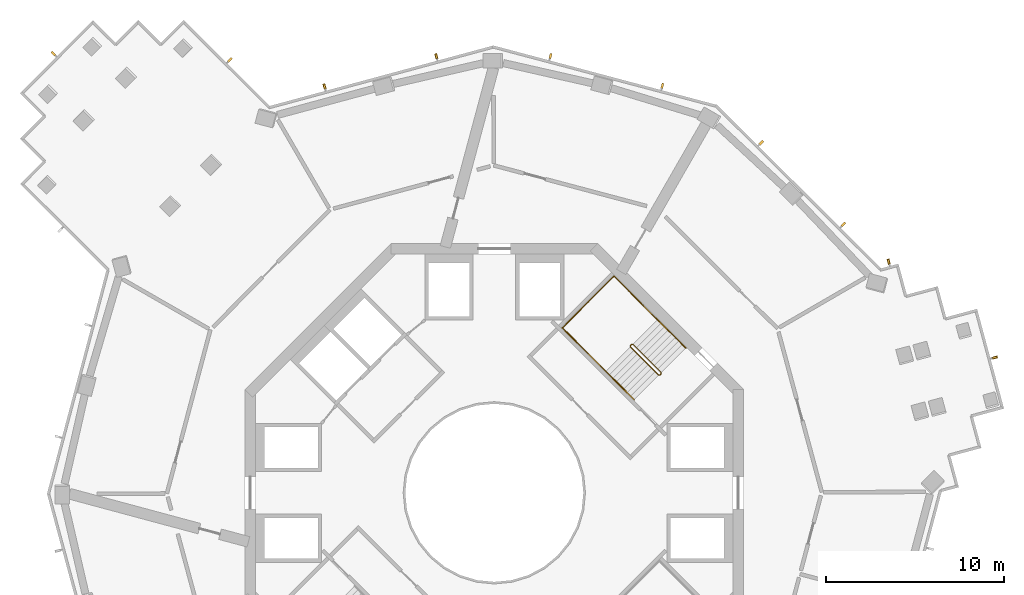
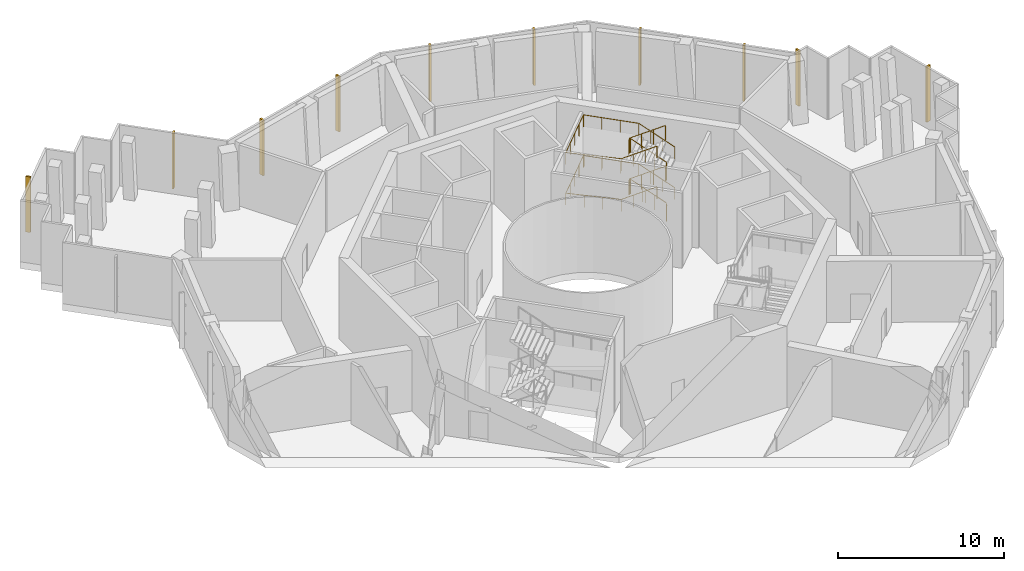
# One storey, part 16 of 16: 10 shading devices, 3 railings.
"""IFC4 building model written with IfcOpenShell, lengths in metres."""

from ifc_helpers import new_model, si_unit, direction, frame, origin, origin_2d, place, context, subcontext, project, spatial, rectangle, circle, extrude, material, material_profile, profile_set, type_object, element, save


model = new_model("IFC4")

# Units and contexts
model_context = context("Model", 3, precision=1e-05, world=origin(), true_north=direction((0.0, 1.0)))
body_context = subcontext(model_context, "Body", "Model", "MODEL_VIEW")
ifc_project = project(units=[si_unit("LENGTHUNIT", "METRE"), si_unit("AREAUNIT", "SQUARE_METRE"), si_unit("VOLUMEUNIT", "CUBIC_METRE"), si_unit("PLANEANGLEUNIT", "RADIAN"), si_unit("MASSUNIT", "GRAM", prefix="KILO")], contexts=[model_context])

# Site, building, storey
site_placement = place(None, origin())
site = spatial("IfcSite", under=ifc_project, at=site_placement, CompositionType="ELEMENT")
building_placement = place(site_placement, origin())
building = spatial("IfcBuilding", under=site, at=building_placement, Name="Verdalira Terraces Hotel", CompositionType="ELEMENT")
storey_placement = place(building_placement, frame((0.0, 0.0, 216.0)))
storey = spatial("IfcBuildingStorey", under=building, at=storey_placement, Name="L53", CompositionType="ELEMENT", Elevation=216.0)

# Railings
ifc_material_1 = material(Name="Stainless steel", Category="steel")
railing_type_1 = type_object("IfcRailingType", Name="Stair guard 1100", PredefinedType="GUARDRAIL", material=ifc_material_1)
railing_1_placement = place(storey_placement, frame((9.369141, 6.682129, 0.0)))
element("IfcRailing", 1, at=railing_1_placement, inside=storey, type_object=railing_type_1, Name="L53 ST1 stair guard 1", PredefinedType="GUARDRAIL", context=body_context, shape_type="SweptSolid", body=[
    extrude(circle(Radius=0.023926, at=origin_2d()), frame((0.0, 0.0, 1.076172), z_axis=(-0.707106781, -0.707106781, 0.0), x_axis=(0.707106781, -0.707106781, 0.0)), (0.0, 0.0, 1.0), 0.100098),
    extrude(circle(Radius=0.023926, at=origin_2d()), frame((-0.070801, -0.070801, 1.076172), z_axis=(0.307920697, 0.615841394, 0.725206331), x_axis=(-0.894427191, 0.447213596, 0.0)), (0.0, 0.0, 1.0), 0.22998),
    extrude(circle(Radius=0.023926, at=origin_2d()), frame((0.0, 0.070801, 1.242676), z_axis=(-0.607662647, 0.607568988, 0.511474371), x_axis=(-0.707052281, -0.707161277, 0.0)), (0.0, 0.0, 1.0), 2.606689),
    extrude(circle(Radius=0.023926, at=origin_2d()), frame((-1.583984, 1.654541, 2.576172), z_axis=(-1.0, 0.0, 0.0), x_axis=(0.0, -1.0, 0.0)), (0.0, 0.0, 1.0), 0.070557),
    extrude(circle(Radius=0.023926, at=origin_2d()), frame((-1.654541, 1.654541, 2.576172), z_axis=(-0.70832698, -0.705884473, 0.0), x_axis=(0.705884473, -0.70832698, 0.0)), (0.0, 0.0, 1.0), 0.099854),
    extrude(circle(Radius=0.023926, at=origin_2d()), frame((-1.725342, 1.583984, 2.576172), z_axis=(0.0, -0.390826706, 0.920464277), x_axis=(1.0, 0.0, 0.0)), (0.0, 0.0, 1.0), 0.181152),
    extrude(circle(Radius=0.023926, at=origin_2d()), frame((-1.725342, 1.513184, 2.742676), z_axis=(0.607628069, -0.607628069, 0.511445266), x_axis=(0.707106781, 0.707106781, 0.0)), (0.0, 0.0, 1.0), 2.606934),
    extrude(circle(Radius=0.023926, at=origin_2d()), frame((-0.141357, -0.070801, 4.076172), z_axis=(1.0, 0.0, 0.0), x_axis=(0.0, 1.0, 0.0)), (0.0, 0.0, 1.0), 0.070557),
    extrude(circle(Radius=0.023926, at=origin_2d()), frame((-0.070801, -0.070801, 4.076172), z_axis=(0.707106781, 0.707106781, 0.0), x_axis=(-0.707106781, 0.707106781, 0.0)), (0.0, 0.0, 1.0), 0.100098),
    extrude(circle(Radius=0.023926, at=origin_2d()), frame((0.0, 0.0, 4.076172), z_axis=(0.0, 0.390826706, 0.920464277), x_axis=(-1.0, 0.0, 0.0)), (0.0, 0.0, 1.0), 0.181152),
    extrude(circle(Radius=0.023926, at=origin_2d()), frame((0.0, 0.070801, 4.242676), z_axis=(-0.607662647, 0.607568988, 0.511474371), x_axis=(-0.707052281, -0.707161277, 0.0)), (0.0, 0.0, 1.0), 2.606689),
    extrude(circle(Radius=0.023926, at=origin_2d()), frame((-1.583984, 1.654541, 5.576172), z_axis=(-1.0, 0.0, 0.0), x_axis=(0.0, -1.0, 0.0)), (0.0, 0.0, 1.0), 0.070557),
    extrude(circle(Radius=0.023926, at=origin_2d()), frame((-1.654541, 1.654541, 5.576172), z_axis=(-0.70832698, -0.705884473, 0.0), x_axis=(0.705884473, -0.70832698, 0.0)), (0.0, 0.0, 1.0), 0.099854),
    extrude(circle(Radius=0.023926, at=origin_2d()), frame((-1.725342, 1.583984, 5.576172), z_axis=(0.0, -0.390826706, 0.920464277), x_axis=(1.0, 0.0, 0.0)), (0.0, 0.0, 1.0), 0.181152),
    extrude(circle(Radius=0.023926, at=origin_2d()), frame((-1.725342, 1.513184, 5.742676), z_axis=(0.607628069, -0.607628069, 0.511445266), x_axis=(0.707106781, 0.707106781, 0.0)), (0.0, 0.0, 1.0), 2.606934),
    extrude(circle(Radius=0.020996, at=origin_2d()), origin(), (0.0, 0.0, 1.0), 1.052002),
    extrude(circle(Radius=0.020996, at=origin_2d()), frame((-0.070801, -0.070801, 0.0)), (0.0, 0.0, 1.0), 1.052002),
    extrude(circle(Radius=0.020996, at=origin_2d()), frame((0.0, 0.070801, 0.166748)), (0.0, 0.0, 1.0), 1.052002),
    extrude(circle(Radius=0.020996, at=origin_2d()), frame((-0.528076, 0.598633, 0.611084)), (0.0, 0.0, 1.0), 1.052002),
    extrude(circle(Radius=0.020996, at=origin_2d()), frame((-1.055908, 1.126709, 1.055664)), (0.0, 0.0, 1.0), 1.052002),
    extrude(circle(Radius=0.020996, at=origin_2d()), frame((-1.583984, 1.654541, 1.5)), (0.0, 0.0, 1.0), 1.052002),
    extrude(circle(Radius=0.020996, at=origin_2d()), frame((-1.654541, 1.654541, 1.5)), (0.0, 0.0, 1.0), 1.052002),
    extrude(circle(Radius=0.020996, at=origin_2d()), frame((-1.725342, 1.583984, 1.5)), (0.0, 0.0, 1.0), 1.052002),
    extrude(circle(Radius=0.020996, at=origin_2d()), frame((-1.725342, 1.513184, 1.666748)), (0.0, 0.0, 1.0), 1.052002),
    extrude(circle(Radius=0.020996, at=origin_2d()), frame((-1.197266, 0.985107, 2.111084)), (0.0, 0.0, 1.0), 1.052002),
    extrude(circle(Radius=0.020996, at=origin_2d()), frame((-0.669434, 0.457275, 2.555664)), (0.0, 0.0, 1.0), 1.052002),
    extrude(circle(Radius=0.020996, at=origin_2d()), frame((-0.141357, -0.070801, 3.0)), (0.0, 0.0, 1.0), 1.052002),
    extrude(circle(Radius=0.020996, at=origin_2d()), frame((-0.070801, -0.070801, 3.0)), (0.0, 0.0, 1.0), 1.052002),
    extrude(circle(Radius=0.020996, at=origin_2d()), frame((0.0, 0.0, 3.0)), (0.0, 0.0, 1.0), 1.052002),
    extrude(circle(Radius=0.020996, at=origin_2d()), frame((0.0, 0.070801, 3.166748)), (0.0, 0.0, 1.0), 1.052002),
    extrude(circle(Radius=0.020996, at=origin_2d()), frame((-0.528076, 0.598633, 3.611084)), (0.0, 0.0, 1.0), 1.052002),
    extrude(circle(Radius=0.020996, at=origin_2d()), frame((-1.055908, 1.126709, 4.055664)), (0.0, 0.0, 1.0), 1.052002),
    extrude(circle(Radius=0.020996, at=origin_2d()), frame((-1.583984, 1.654541, 4.5)), (0.0, 0.0, 1.0), 1.052002),
    extrude(circle(Radius=0.020996, at=origin_2d()), frame((-1.654541, 1.654541, 4.5)), (0.0, 0.0, 1.0), 1.052002),
    extrude(circle(Radius=0.020996, at=origin_2d()), frame((-1.725342, 1.583984, 4.5)), (0.0, 0.0, 1.0), 1.052002),
    extrude(circle(Radius=0.020996, at=origin_2d()), frame((-1.725342, 1.513184, 4.666748)), (0.0, 0.0, 1.0), 1.052002),
    extrude(circle(Radius=0.020996, at=origin_2d()), frame((-1.197266, 0.985107, 5.111084)), (0.0, 0.0, 1.0), 1.052002),
    extrude(circle(Radius=0.020996, at=origin_2d()), frame((-0.669434, 0.457275, 5.555664)), (0.0, 0.0, 1.0), 1.052002),
    extrude(circle(Radius=0.020996, at=origin_2d()), frame((-0.141357, -0.070801, 6.0)), (0.0, 0.0, 1.0), 1.052002),
])
ifc_material_2 = material(Name="Stainless steel", Category="steel")
railing_type_2 = type_object("IfcRailingType", Name="Stair handrail 900", PredefinedType="HANDRAIL", material=ifc_material_2)
railing_2_placement = place(storey_placement, frame((10.748047, 8.131836, 0.166748)))
element("IfcRailing", 2, at=railing_2_placement, inside=storey, type_object=railing_type_2, Name="L53 ST1 stair handrail 1", PredefinedType="HANDRAIL", context=body_context, shape_type="SweptSolid", body=[
    extrude(circle(Radius=0.023926, at=origin_2d()), frame((0.0, 0.0, 0.875977), z_axis=(-0.607662647, 0.607568988, 0.511474371), x_axis=(-0.707052281, -0.707161277, 0.0)), (0.0, 0.0, 1.0), 2.606689),
    extrude(circle(Radius=0.023926, at=origin_2d()), frame((-1.583984, 1.58374, 2.208984), z_axis=(-0.707071501, 0.70714206, 0.0), x_axis=(-0.70714206, -0.707071501, 0.0)), (0.0, 0.0, 1.0), 3.460205),
    extrude(circle(Radius=0.023926, at=origin_2d()), frame((-4.030518, 4.030518, 2.208984), z_axis=(-0.707106781, -0.707106781, 0.0), x_axis=(0.707106781, -0.707106781, 0.0)), (0.0, 0.0, 1.0), 4.100098),
    extrude(circle(Radius=0.023926, at=origin_2d()), frame((-6.929688, 1.131348, 2.208984), z_axis=(0.70625186, -0.706322337, 0.048135917), x_axis=(0.70714206, 0.707071501, 0.0)), (0.0, 0.0, 1.0), 3.464111),
    extrude(circle(Radius=0.023926, at=origin_2d()), frame((-4.483154, -1.31543, 2.375977), z_axis=(0.607662647, -0.607568988, 0.511474371), x_axis=(0.707052281, 0.707161277, 0.0)), (0.0, 0.0, 1.0), 2.606689),
    extrude(circle(Radius=0.020996, at=origin_2d()), origin(), (0.0, 0.0, 1.0), 0.851807),
    extrude(circle(Radius=0.020996, at=origin_2d()), frame((-0.528076, 0.527832, 0.444336)), (0.0, 0.0, 1.0), 0.851807),
    extrude(circle(Radius=0.020996, at=origin_2d()), frame((-1.055908, 1.055908, 0.888916)), (0.0, 0.0, 1.0), 0.851807),
    extrude(circle(Radius=0.020996, at=origin_2d()), frame((-1.583984, 1.58374, 1.333252)), (0.0, 0.0, 1.0), 0.851807),
    extrude(circle(Radius=0.020996, at=origin_2d()), frame((-2.399414, 2.399414, 1.333252)), (0.0, 0.0, 1.0), 0.851807),
    extrude(circle(Radius=0.020996, at=origin_2d()), frame((-3.215088, 3.214844, 1.333252)), (0.0, 0.0, 1.0), 0.851807),
    extrude(circle(Radius=0.020996, at=origin_2d()), frame((-4.030518, 4.030518, 1.333252)), (0.0, 0.0, 1.0), 0.851807),
    extrude(circle(Radius=0.020996, at=origin_2d()), frame((-4.755371, 3.305664, 1.333252)), (0.0, 0.0, 1.0), 0.851807),
    extrude(circle(Radius=0.020996, at=origin_2d()), frame((-5.47998, 2.581055, 1.333252)), (0.0, 0.0, 1.0), 0.851807),
    extrude(circle(Radius=0.020996, at=origin_2d()), frame((-6.204834, 1.856201, 1.333252)), (0.0, 0.0, 1.0), 0.851807),
    extrude(circle(Radius=0.020996, at=origin_2d()), frame((-6.929688, 1.131348, 1.333252)), (0.0, 0.0, 1.0), 0.851807),
    extrude(circle(Radius=0.020996, at=origin_2d()), frame((-6.114258, 0.315674, 1.388916)), (0.0, 0.0, 1.0), 0.851807),
    extrude(circle(Radius=0.020996, at=origin_2d()), frame((-5.298584, -0.499756, 1.444336)), (0.0, 0.0, 1.0), 0.851807),
    extrude(circle(Radius=0.020996, at=origin_2d()), frame((-4.483154, -1.31543, 1.5)), (0.0, 0.0, 1.0), 0.851807),
    extrude(circle(Radius=0.020996, at=origin_2d()), frame((-3.955078, -1.843262, 1.944336)), (0.0, 0.0, 1.0), 0.851807),
    extrude(circle(Radius=0.020996, at=origin_2d()), frame((-3.427246, -2.371338, 2.388916)), (0.0, 0.0, 1.0), 0.851807),
    extrude(circle(Radius=0.020996, at=origin_2d()), frame((-2.89917, -2.89917, 2.833252)), (0.0, 0.0, 1.0), 0.851807),
])
railing_3_placement = place(storey_placement, frame((10.748047, 8.131836, 3.166748)))
element("IfcRailing", 3, at=railing_3_placement, inside=storey, type_object=railing_type_2, Name="L53 ST1 stair handrail 2", PredefinedType="HANDRAIL", context=body_context, shape_type="SweptSolid", body=[
    extrude(circle(Radius=0.023926, at=origin_2d()), frame((0.0, 0.0, 0.875977), z_axis=(-0.607662647, 0.607568988, 0.511474371), x_axis=(-0.707052281, -0.707161277, 0.0)), (0.0, 0.0, 1.0), 2.606689),
    extrude(circle(Radius=0.023926, at=origin_2d()), frame((-1.583984, 1.58374, 2.208984), z_axis=(-0.707071501, 0.70714206, 0.0), x_axis=(-0.70714206, -0.707071501, 0.0)), (0.0, 0.0, 1.0), 3.460205),
    extrude(circle(Radius=0.023926, at=origin_2d()), frame((-4.030518, 4.030518, 2.208984), z_axis=(-0.707106781, -0.707106781, 0.0), x_axis=(0.707106781, -0.707106781, 0.0)), (0.0, 0.0, 1.0), 4.100098),
    extrude(circle(Radius=0.023926, at=origin_2d()), frame((-6.929688, 1.131348, 2.208984), z_axis=(0.70625186, -0.706322337, 0.048135917), x_axis=(0.70714206, 0.707071501, 0.0)), (0.0, 0.0, 1.0), 3.464111),
    extrude(circle(Radius=0.023926, at=origin_2d()), frame((-4.483154, -1.31543, 2.375977), z_axis=(0.607662647, -0.607568988, 0.511474371), x_axis=(0.707052281, 0.707161277, 0.0)), (0.0, 0.0, 1.0), 2.606689),
    extrude(circle(Radius=0.020996, at=origin_2d()), origin(), (0.0, 0.0, 1.0), 0.851807),
    extrude(circle(Radius=0.020996, at=origin_2d()), frame((-0.528076, 0.527832, 0.444336)), (0.0, 0.0, 1.0), 0.851807),
    extrude(circle(Radius=0.020996, at=origin_2d()), frame((-1.055908, 1.055908, 0.888916)), (0.0, 0.0, 1.0), 0.851807),
    extrude(circle(Radius=0.020996, at=origin_2d()), frame((-1.583984, 1.58374, 1.333252)), (0.0, 0.0, 1.0), 0.851807),
    extrude(circle(Radius=0.020996, at=origin_2d()), frame((-2.399414, 2.399414, 1.333252)), (0.0, 0.0, 1.0), 0.851807),
    extrude(circle(Radius=0.020996, at=origin_2d()), frame((-3.215088, 3.214844, 1.333252)), (0.0, 0.0, 1.0), 0.851807),
    extrude(circle(Radius=0.020996, at=origin_2d()), frame((-4.030518, 4.030518, 1.333252)), (0.0, 0.0, 1.0), 0.851807),
    extrude(circle(Radius=0.020996, at=origin_2d()), frame((-4.755371, 3.305664, 1.333252)), (0.0, 0.0, 1.0), 0.851807),
    extrude(circle(Radius=0.020996, at=origin_2d()), frame((-5.47998, 2.581055, 1.333252)), (0.0, 0.0, 1.0), 0.851807),
    extrude(circle(Radius=0.020996, at=origin_2d()), frame((-6.204834, 1.856201, 1.333252)), (0.0, 0.0, 1.0), 0.851807),
    extrude(circle(Radius=0.020996, at=origin_2d()), frame((-6.929688, 1.131348, 1.333252)), (0.0, 0.0, 1.0), 0.851807),
    extrude(circle(Radius=0.020996, at=origin_2d()), frame((-6.114258, 0.315674, 1.388916)), (0.0, 0.0, 1.0), 0.851807),
    extrude(circle(Radius=0.020996, at=origin_2d()), frame((-5.298584, -0.499756, 1.444336)), (0.0, 0.0, 1.0), 0.851807),
    extrude(circle(Radius=0.020996, at=origin_2d()), frame((-4.483154, -1.31543, 1.5)), (0.0, 0.0, 1.0), 0.851807),
    extrude(circle(Radius=0.020996, at=origin_2d()), frame((-3.955078, -1.843262, 1.944336)), (0.0, 0.0, 1.0), 0.851807),
    extrude(circle(Radius=0.020996, at=origin_2d()), frame((-3.427246, -2.371338, 2.388916)), (0.0, 0.0, 1.0), 0.851807),
    extrude(circle(Radius=0.020996, at=origin_2d()), frame((-2.89917, -2.89917, 2.833252)), (0.0, 0.0, 1.0), 0.851807),
])

# Shading devices
ifc_material_3 = material(Name="Terracotta frame", Category="masonry")
ifc_material_profile = material_profile(ifc_material_3, rectangle(XDim=0.120117, YDim=0.300049, at=origin_2d()), Name="FIN 120x300")
ifc_profile_set = profile_set([ifc_material_profile], Name="Terracotta frame")
shading_device_type = type_object("IfcShadingDeviceType", Name="Terracotta fin 120x300", PredefinedType="USERDEFINED", material=ifc_profile_set)
for number, where, z_axis, x_axis, name in (
    (4, (-14.848145, 24.312256, 0.199951), (0.0, 0.0, 1.0), (-0.70858619, 0.70562427, 0.0), "Terracotta fin"),
    (5, (-24.76123, 24.657715, 0.199951), (0.0, 0.0, 1.0), (-0.70562427, -0.70858619, 0.0), "Terracotta fin"),
    (6, (28.100586, 7.592773, 0.199951), (0.0, 0.0, 1.0), (-0.260841506, 0.965381639, 0.0), "Terracotta fin"),
    (7, (22.140625, 12.974365, 0.199951), (0.0, 0.0, 1.0), (-0.965381639, -0.260841506, 0.0), "Terracotta fin"),
    (8, (19.59668, 15.072998, 0.199951), (0.0, 0.0, 1.0), (-0.70858619, 0.70562427, 0.0), "Terracotta fin"),
    (9, (14.990723, 19.659424, 0.199951), (0.0, 0.0, 1.0), (-0.70858619, 0.70562427, 0.0), "Terracotta fin"),
    (10, (9.43457, 22.851807, 0.199951), (0.0, 0.0, 1.0), (-0.966465777, 0.256795449, 0.0), "Terracotta fin"),
    (11, (3.152588, 24.520996, 0.199951), (0.0, 0.0, 1.0), (-0.966465777, 0.256795449, 0.0), "Terracotta fin"),
    (12, (-3.255371, 24.507568, 0.199951), (0.0, 0.0, 1.0), (-0.965381639, -0.260841506, 0.0), "Terracotta fin"),
    (13, (-9.530273, 22.812256, 0.199951), (0.0, 0.0, 1.0), (-0.965381639, -0.260841506, 0.0), "Terracotta fin"),
):
    element("IfcShadingDevice", number, at=place(storey_placement, frame(where, z_axis=z_axis, x_axis=x_axis)), inside=storey, type_object=shading_device_type, Name=name, ObjectType="FIN", PredefinedType="USERDEFINED", context=body_context, shape_type="SweptSolid", body=[
        extrude(rectangle(XDim=0.120117, YDim=0.300049, at=origin_2d()), origin(), (0.0, 0.0, 1.0), 4.100098),
    ])

save(model, "model.ifc")
